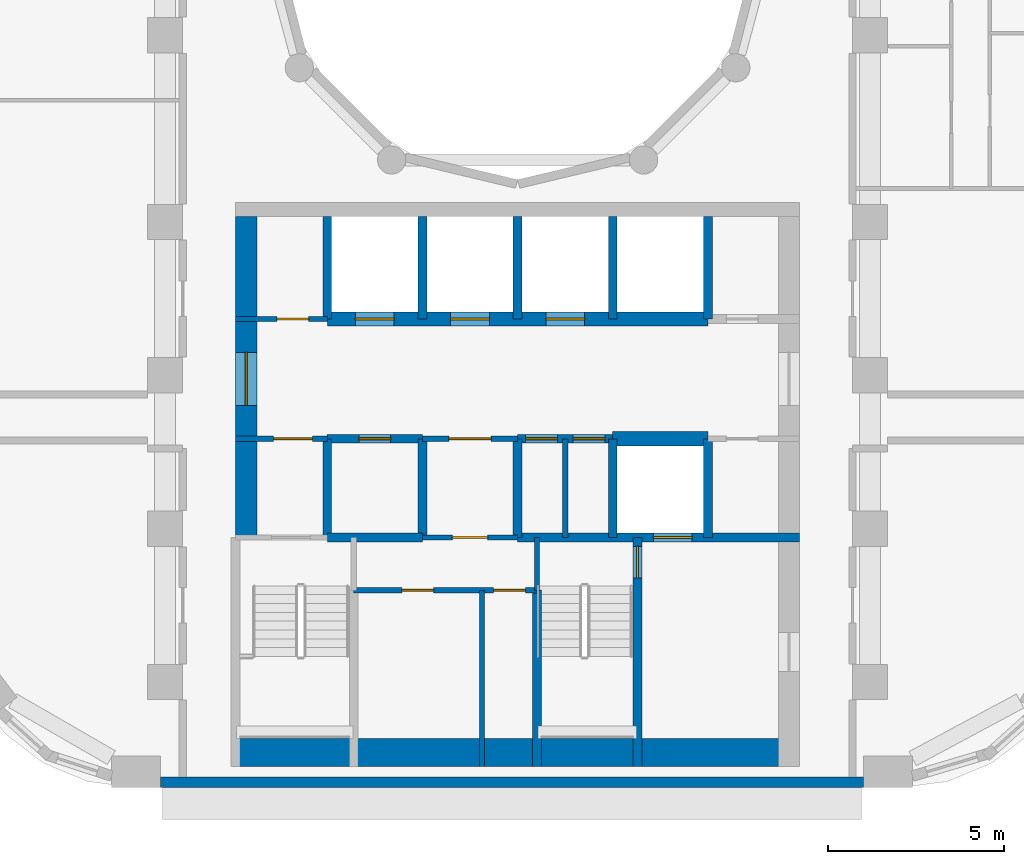
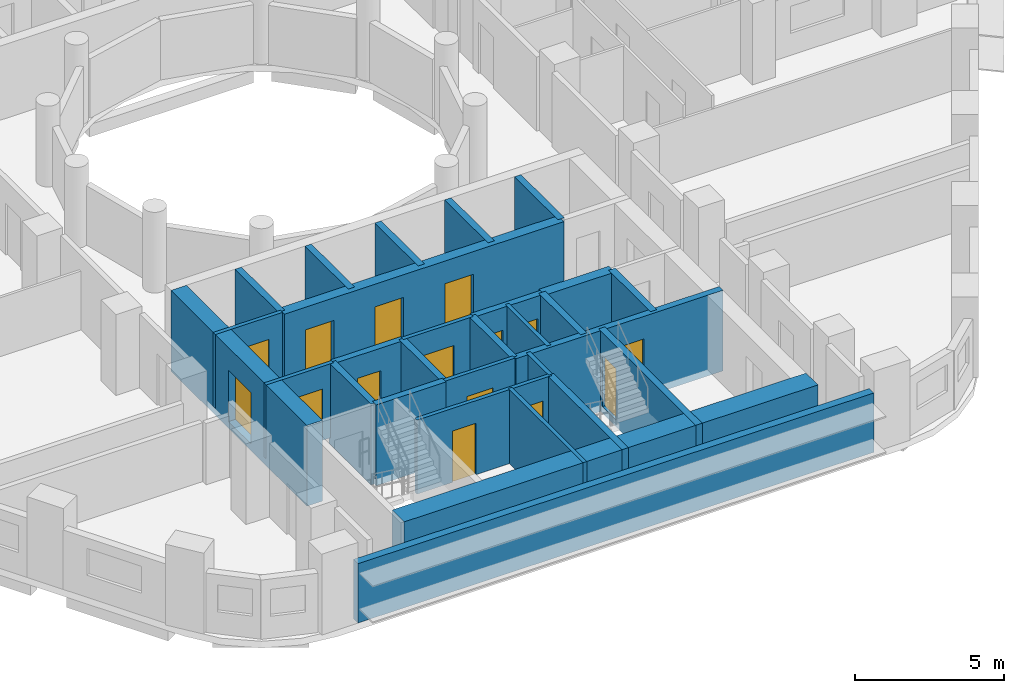
# One storey, part 3 of 13: 29 walls, 15 doors, 15 openings.
"""IFC4 building model written with IfcOpenShell, lengths in metres."""

import ifcopenshell
import ifcopenshell.guid

model = None  # the IFC model being written
_history = None  # IfcOwnerHistory: only IFC2X3 demands one
_inside = {}  # id of a spatial element -> (the spatial element, [elements in it])
_under = {}  # id of a project, library or spatial element -> (it, [spatial elements below it])
_declared = {}  # id of a project -> (the project, [libraries it declares])
_typed = {}  # id of a type object -> (the type object, [elements of that type])
_made_of = {}  # id of a material, layer set ... -> (it, [elements and type objects made of it])


def new_model(schema):
    """Start an empty IFC model of exactly this schema.

    Asked for "IFC4X3", IfcOpenShell would pick the latest addendum, in which some entities
    have other attributes; the version numbers below select the first issue.
    IFC2X3 requires an IfcOwnerHistory on every rooted entity: one is made here for all.
    """
    global model, _history
    if schema == "IFC4X3":
        model = ifcopenshell.file(schema_version=(4, 3, 0, 0))
    else:
        model = ifcopenshell.file(schema=schema)
    _inside.clear()
    _under.clear()
    _declared.clear()
    _typed.clear()
    _made_of.clear()
    _history = None
    if model.schema == "IFC2X3":
        org = make("IfcOrganization", Name="unknown")
        user = make(
            "IfcPersonAndOrganization",
            ThePerson=make("IfcPerson", FamilyName="unknown"),
            TheOrganization=org,
        )
        app = make(
            "IfcApplication",
            ApplicationDeveloper=org,
            Version="unknown",
            ApplicationFullName="unknown",
            ApplicationIdentifier="unknown",
        )
        _history = make(
            "IfcOwnerHistory",
            OwningUser=user,
            OwningApplication=app,
            ChangeAction="ADDED",
            CreationDate=0,
        )
    return model


def make(cls, **values):
    """One entity of the class cls with the attributes given. An attribute that is None is left unset."""
    return model.create_entity(
        cls, **{name: value for name, value in values.items() if value is not None}
    )


def rooted(cls, **values):
    """An entity with a GlobalId (a new one), such as an element, a storey or a relation."""
    return make(cls, GlobalId=ifcopenshell.guid.new(), OwnerHistory=_history, **values)


def si_unit(unit_type, name, prefix=None):
    """IfcSIUnit, for example si_unit("LENGTHUNIT", "METRE", prefix="MILLI")."""
    return make("IfcSIUnit", UnitType=unit_type, Prefix=prefix, Name=name)


def assignment(units):
    """IfcUnitAssignment: the units of a project."""
    return None if units is None else make("IfcUnitAssignment", Units=units)


def point(xyz):
    """IfcCartesianPoint."""
    return None if xyz is None else make("IfcCartesianPoint", Coordinates=xyz)


def direction(xyz):
    """IfcDirection."""
    return None if xyz is None else make("IfcDirection", DirectionRatios=xyz)


def frame(location, z_axis=None, x_axis=None):
    """IfcAxis2Placement3D, a coordinate frame: its origin and axes. An axis left out is left unset."""
    return make(
        "IfcAxis2Placement3D",
        Location=point(location),
        Axis=direction(z_axis),
        RefDirection=direction(x_axis),
    )


def frame_2d(location, x_axis=None):
    """IfcAxis2Placement2D, a coordinate frame in the plane: its origin and x axis."""
    return make(
        "IfcAxis2Placement2D", Location=point(location), RefDirection=direction(x_axis)
    )


def origin():
    """The frame at (0, 0, 0) with its axes left unset."""
    return frame((0.0, 0.0, 0.0))


def place(relative_to, where):
    """IfcLocalPlacement: puts the frame where relative to a parent placement (None: the world)."""
    return make(
        "IfcLocalPlacement", PlacementRelTo=relative_to, RelativePlacement=where
    )


def context(
    kind, dimensions, precision=None, world=None, true_north=None, identifier=None
):
    """IfcGeometricRepresentationContext, for example the 3D "Model" context."""
    return make(
        "IfcGeometricRepresentationContext",
        ContextIdentifier=identifier,
        ContextType=kind,
        CoordinateSpaceDimension=dimensions,
        Precision=precision,
        WorldCoordinateSystem=world,
        TrueNorth=true_north,
    )


def subcontext(parent, identifier, kind, view, scale=None):
    """IfcGeometricRepresentationSubContext, for example "Body" below "Model"."""
    return make(
        "IfcGeometricRepresentationSubContext",
        ContextIdentifier=identifier,
        ContextType=kind,
        ParentContext=parent,
        TargetScale=scale,
        TargetView=view,
    )


def project(units=None, contexts=None):
    """IfcProject with its units and contexts."""
    return rooted(
        "IfcProject",
        Name="project",
        RepresentationContexts=contexts,
        UnitsInContext=assignment(units),
    )


def spatial(cls, under=None, at=None, **own):
    """A site, building, storey or space (cls), placed at a placement, below another one or the project."""
    s = rooted(cls, ObjectPlacement=at, **own)
    if under is not None:
        _under.setdefault(under.id(), (under, []))[1].append(s)
    return s


def profile(cls, at=None, kind="AREA", **sizes):
    """A parametric profile (cls). Its sizes go by their IFC names, for example OverallWidth=200.0."""
    return make(cls, ProfileType=kind, Position=at, **sizes)


def rectangle(**sizes):
    """IfcRectangleProfileDef."""
    return profile("IfcRectangleProfileDef", **sizes)


def extrude(swept, where, along, depth):
    """IfcExtrudedAreaSolid: the profile swept, set in the frame where, extruded along a direction by depth."""
    return make(
        "IfcExtrudedAreaSolid",
        SweptArea=swept,
        Position=where,
        ExtrudedDirection=direction(along),
        Depth=depth,
    )


def shape(context_of_items, identifier, shape_type, items):
    """IfcShapeRepresentation: the items that make up one representation, for example the "Body"."""
    return make(
        "IfcShapeRepresentation",
        ContextOfItems=context_of_items,
        RepresentationIdentifier=identifier,
        RepresentationType=shape_type,
        Items=items,
    )


def material(Name=None, Category=None):
    """IfcMaterial."""
    return make("IfcMaterial", Name=Name, Category=Category)


def layer(
    of_material, thickness, ventilated=None, Name=None, Category=None, Priority=None
):
    """IfcMaterialLayer: one layer of a wall or slab, of a material (None: an air gap)."""
    return make(
        "IfcMaterialLayer",
        Material=of_material,
        LayerThickness=thickness,
        IsVentilated=ventilated,
        Name=Name,
        Category=Category,
        Priority=Priority,
    )


def layer_set(layers, Name=None):
    """IfcMaterialLayerSet."""
    return make("IfcMaterialLayerSet", MaterialLayers=layers, LayerSetName=Name)


def made_of(thing, what):
    """Note that an element or type object is made of a material, layer set ...; save() writes the relation."""
    if what is not None:
        _made_of.setdefault(what.id(), (what, []))[1].append(thing)
    return thing


def type_object(cls, material=None, **own):
    """A type object (cls), such as IfcWallType, which elements share."""
    return made_of(rooted(cls, **own), material)


def element(
    cls,
    number,
    at=None,
    inside=None,
    cuts=None,
    type_object=None,
    material=None,
    context=None,
    identifier="Body",
    shape_type=None,
    held_by="IfcProductDefinitionShape",
    body=None,
    shapes=None,
    **own,
):
    """One element of the class cls, such as IfcWall. Its Tag is "e" and its number.

    at: its placement. inside: the storey or other place that contains it. cuts: it is an
    opening in that element (IfcRelVoidsElement). A single representation is given by context,
    identifier, shape_type and body (its items); several are given by shapes. held_by: the class
    of the entity that holds the representations. save() writes the other relations.
    """
    e = rooted(cls, Tag="e%d" % number, ObjectPlacement=at, **own)
    if body is not None:
        shapes = [shape(context, identifier, shape_type, body)]
    if shapes is not None:
        e.Representation = make(held_by, Representations=shapes)
    if inside is not None:
        _inside.setdefault(inside.id(), (inside, []))[1].append(e)
    if cuts is not None:
        rooted(
            "IfcRelVoidsElement", RelatingBuildingElement=cuts, RelatedOpeningElement=e
        )
    if type_object is not None:
        _typed.setdefault(type_object.id(), (type_object, []))[1].append(e)
    return made_of(e, material)


def fill(opening, filler):
    """IfcRelFillsElement: the door or window that sits in an opening."""
    return rooted(
        "IfcRelFillsElement",
        RelatingOpeningElement=opening,
        RelatedBuildingElement=filler,
    )


def aggregate(whole, parts):
    """IfcRelAggregates: a whole, such as a stair, and the parts it consists of."""
    return rooted("IfcRelAggregates", RelatingObject=whole, RelatedObjects=parts)


def save(model, path):
    """Write the relations noted so far, then the file.

    IfcRelAggregates (storeys below a building ...), IfcRelContainedInSpatialStructure (elements
    in a storey), IfcRelDefinesByType, IfcRelAssociatesMaterial and IfcRelDeclares: one each for
    every whole, place, type object, material and project.
    """
    for whole, parts in _under.values():
        aggregate(whole, parts)
    for where, things in _inside.values():
        rooted(
            "IfcRelContainedInSpatialStructure",
            RelatedElements=things,
            RelatingStructure=where,
        )
    for kind, things in _typed.values():
        rooted("IfcRelDefinesByType", RelatedObjects=things, RelatingType=kind)
    for what, things in _made_of.values():
        rooted("IfcRelAssociatesMaterial", RelatedObjects=things, RelatingMaterial=what)
    for by, libraries in _declared.values():
        rooted("IfcRelDeclares", RelatingContext=by, RelatedDefinitions=libraries)
    model.write(path)


model = new_model("IFC4")

# Units and contexts
model_context = context("Model", 3, precision=1e-05, world=origin(), true_north=direction((0.0, 1.0)))
body_context = subcontext(model_context, "Body", "Model", "MODEL_VIEW")
ifc_project = project(units=[si_unit("LENGTHUNIT", "METRE"), si_unit("AREAUNIT", "SQUARE_METRE"), si_unit("VOLUMEUNIT", "CUBIC_METRE"), si_unit("PLANEANGLEUNIT", "RADIAN"), si_unit("MASSUNIT", "GRAM", prefix="KILO")], contexts=[model_context])

# Site, building, storey
site_placement = place(None, origin())
site = spatial("IfcSite", under=ifc_project, at=site_placement, CompositionType="ELEMENT")
building_placement = place(site_placement, origin())
building = spatial("IfcBuilding", under=site, at=building_placement, Name="Nakaniwa Court", CompositionType="ELEMENT")
storey_placement = place(building_placement, frame((0.0, 0.0, 84.300048828125)))
storey = spatial("IfcBuildingStorey", under=building, at=storey_placement, Name="L21", CompositionType="ELEMENT", Elevation=84.300048828125)

# Wall
ifc_material_1 = material(Name="Charcoal ceramic cladding")
ifc_layer_1 = layer(ifc_material_1, 0.02, Name="Ceramic cladding")
ifc_material_2 = material(Name="Ventilated air cavity")
ifc_layer_2 = layer(ifc_material_2, 0.04, ventilated=True, Name="Ventilated cavity")
ifc_material_3 = material(Name="Mineral wool insulation")
ifc_layer_3 = layer(ifc_material_3, 0.1, Name="Insulation")
ifc_material_4 = material(Name="Cement bonded sheathing board")
ifc_layer_4 = layer(ifc_material_4, 0.012, Name="Sheathing")
ifc_material_5 = material(Name="Cold-formed galvanised stud frame with mineral wool infill")
ifc_layer_5 = layer(ifc_material_5, 0.1, Name="Stud frame")
ifc_material_6 = material(Name="Fire-rated gypsum plasterboard lining")
ifc_layer_6 = layer(ifc_material_6, 0.028, Name="Lining")
ifc_layer_set_1 = layer_set([ifc_layer_1, ifc_layer_2, ifc_layer_3, ifc_layer_4, ifc_layer_5, ifc_layer_6], Name="Charcoal ceramic faced external wall system")
wall_type_1 = type_object("IfcWallType", Name="Black ceramic faced external wall 300", PredefinedType="SOLIDWALL", material=ifc_layer_set_1)
wall_1_placement = place(storey_placement, frame((69.871337890625, 56.14990234375, 0.0), z_axis=(0.0, 0.0, 1.0), x_axis=(1.0, 0.0, 0.0)))
element("IfcWall", 1, at=wall_1_placement, inside=storey, type_object=wall_type_1, Name="L21 external wall 26", PredefinedType="SOLIDWALL", context=body_context, shape_type="SweptSolid", body=[
    extrude(rectangle(XDim=19.939697265625, YDim=0.300048828125, at=frame_2d((9.9697265625, 0.0))), origin(), (0.0, 0.0, 1.0), 2.425048828125),
])

# Wall, opening, door
ifc_material_7 = material(Name="Blockwork partition", Category="masonry")
ifc_layer_7 = layer(ifc_material_7, 0.14990234375)
ifc_layer_set_2 = layer_set([ifc_layer_7], Name="Blockwork partition")
wall_type_2 = type_object("IfcWallType", Name="Blockwork partition 150", PredefinedType="PARTITIONING", material=ifc_layer_set_2)
wall_2_placement = place(storey_placement, frame((72.0, 69.300048828125, 0.0), z_axis=(0.0, 0.0, 1.0), x_axis=(1.0, 0.0, 0.0)))
wall_2 = element("IfcWall", 2, at=wall_2_placement, inside=storey, type_object=wall_type_2, Name="Partition PW-037", PredefinedType="PARTITIONING", context=body_context, shape_type="SweptSolid", body=[
    extrude(rectangle(XDim=2.60009765625, YDim=0.14990234375, at=frame_2d((1.300048828125, 0.0))), origin(), (0.0, 0.0, 1.0), 3.02490234375),
])
opening_1_placement = place(wall_2_placement, frame((1.175048828125, 0.0, 0.0)))
opening_1 = element("IfcOpeningElement", 3, at=opening_1_placement, cuts=wall_2, Name="Opening D-05-09", PredefinedType="OPENING", context=body_context, shape_type="SweptSolid", body=[
    extrude(rectangle(XDim=0.89990234375, YDim=2.10009765625, at=frame_2d((0.449951171875, 1.050048828125))), frame((0.0, 0.0849609375, 0.0), z_axis=(0.0, -1.0, 0.0), x_axis=(1.0, 0.0, 0.0)), (0.0, 0.0, 1.0), 0.169921875),
])
ifc_material_8 = material(Name="Fire rated steel door set", Category="steel")
door_type_1 = type_object("IfcDoorType", Name="Service room door 900", OperationType="NOTDEFINED", PredefinedType="DOOR", material=ifc_material_8)
door_1_placement = place(opening_1_placement, origin())
door_1 = element("IfcDoor", 4, at=door_1_placement, inside=storey, type_object=door_type_1, Name="Door D-05-09 L21-014", OperationType="SINGLE_SWING_LEFT", OverallHeight=2.10009765625, OverallWidth=0.89990234375, PredefinedType="DOOR", context=body_context, shape_type="SweptSolid", body=[
    extrude(rectangle(XDim=0.89990234375, YDim=2.10009765625, at=frame_2d((0.449951171875, 1.050048828125))), frame((0.0, 0.02490234375, 0.0), z_axis=(0.0, -1.0, 0.0), x_axis=(1.0, 0.0, 0.0)), (0.0, 0.0, 1.0), 0.050048828125),
])
fill(opening_1, door_1)

wall_3_placement = place(storey_placement, frame((74.60302734375, 65.89990234375, 0.0), z_axis=(0.0, 0.0, 1.0), x_axis=(-1.0, 0.0, 0.0)))
wall_3 = element("IfcWall", 5, at=wall_3_placement, inside=storey, type_object=wall_type_2, Name="Partition PW-050", PredefinedType="PARTITIONING", context=body_context, shape_type="SweptSolid", body=[
    extrude(rectangle(XDim=2.60302734375, YDim=0.14990234375, at=frame_2d((1.301513671875, 0.0))), origin(), (0.0, 0.0, 1.0), 3.02490234375),
])
opening_2_placement = place(wall_3_placement, frame((0.427978515625, 0.0, 0.0)))
opening_2 = element("IfcOpeningElement", 6, at=opening_2_placement, cuts=wall_3, Name="Opening D-08-02", PredefinedType="OPENING", context=body_context, shape_type="SweptSolid", body=[
    extrude(rectangle(XDim=1.10009765625, YDim=2.10009765625, at=frame_2d((0.550048828125, 1.050048828125))), frame((0.0, 0.0849609375, 0.0), z_axis=(0.0, -1.0, 0.0), x_axis=(1.0, 0.0, 0.0)), (0.0, 0.0, 1.0), 0.169921875),
])
door_type_2 = type_object("IfcDoorType", Name="Stair lobby door 1100", OperationType="NOTDEFINED", PredefinedType="DOOR", material=ifc_material_8)
door_2_placement = place(opening_2_placement, origin())
door_2 = element("IfcDoor", 7, at=door_2_placement, inside=storey, type_object=door_type_2, Name="Door D-08-02 L21-016", OperationType="SINGLE_SWING_LEFT", OverallHeight=2.10009765625, OverallWidth=1.10009765625, PredefinedType="DOOR", context=body_context, shape_type="SweptSolid", body=[
    extrude(rectangle(XDim=1.10009765625, YDim=2.10009765625, at=frame_2d((0.550048828125, 1.050048828125))), frame((0.0, 0.02490234375, 0.0), z_axis=(0.0, -1.0, 0.0), x_axis=(1.0, 0.0, 0.0)), (0.0, 0.0, 1.0), 0.050048828125),
])
fill(opening_2, door_2)

wall_4_placement = place(storey_placement, frame((80.0029296875, 65.89990234375, 0.0), z_axis=(0.0, 0.0, 1.0), x_axis=(-1.0, 0.0, 0.0)))
wall_4 = element("IfcWall", 8, at=wall_4_placement, inside=storey, type_object=wall_type_2, Name="Partition PW-051", PredefinedType="PARTITIONING", context=body_context, shape_type="SweptSolid", body=[
    extrude(rectangle(XDim=2.705810546875, YDim=0.14990234375, at=frame_2d((1.35302734375, 0.0))), origin(), (0.0, 0.0, 1.0), 3.02490234375),
])
opening_3_placement = place(wall_4_placement, frame((0.7529296875, 0.0, 0.0)))
opening_3 = element("IfcOpeningElement", 9, at=opening_3_placement, cuts=wall_4, Name="Opening D-06-02", PredefinedType="OPENING", context=body_context, shape_type="SweptSolid", body=[
    extrude(rectangle(XDim=1.199951171875, YDim=2.10009765625, at=frame_2d((0.60009765625, 1.050048828125))), frame((0.0, 0.0849609375, 0.0), z_axis=(0.0, -1.0, 0.0), x_axis=(1.0, 0.0, 0.0)), (0.0, 0.0, 1.0), 0.169921875),
])
ifc_material_9 = material(Name="Fire rated steel double door set", Category="steel")
door_type_3 = type_object("IfcDoorType", Name="Service passage double door 1200", OperationType="NOTDEFINED", PredefinedType="DOOR", material=ifc_material_9)
door_3_placement = place(opening_3_placement, origin())
door_3 = element("IfcDoor", 10, at=door_3_placement, inside=storey, type_object=door_type_3, Name="Door D-06-02 L21-018", OperationType="DOUBLE_DOOR_SINGLE_SWING", OverallHeight=2.10009765625, OverallWidth=1.199951171875, PredefinedType="DOOR", context=body_context, shape_type="SweptSolid", body=[
    extrude(rectangle(XDim=1.199951171875, YDim=2.10009765625, at=frame_2d((0.60009765625, 1.050048828125))), frame((0.0, 0.02490234375, 0.0), z_axis=(0.0, -1.0, 0.0), x_axis=(1.0, 0.0, 0.0)), (0.0, 0.0, 1.0), 0.050048828125),
])
fill(opening_3, door_3)

wall_5_placement = place(storey_placement, frame((80.0, 63.10009765625, 0.0), z_axis=(0.0, 0.0, 1.0), x_axis=(-1.0, 0.0, 0.0)))
wall_5 = element("IfcWall", 11, at=wall_5_placement, inside=storey, type_object=wall_type_2, Name="Partition PW-059", PredefinedType="PARTITIONING", context=body_context, shape_type="SweptSolid", body=[
    extrude(rectangle(XDim=2.699951171875, YDim=0.14990234375, at=frame_2d((1.35009765625, 0.0))), origin(), (0.0, 0.0, 1.0), 3.02490234375),
])
opening_4_placement = place(wall_5_placement, frame((0.85009765625, 0.0, 0.0)))
opening_4 = element("IfcOpeningElement", 12, at=opening_4_placement, cuts=wall_5, Name="Opening D-23-02", PredefinedType="OPENING", context=body_context, shape_type="SweptSolid", body=[
    extrude(rectangle(XDim=1.0, YDim=2.10009765625, at=frame_2d((0.5, 1.050048828125))), frame((0.0, 0.0849609375, 0.0), z_axis=(0.0, -1.0, 0.0), x_axis=(1.0, 0.0, 0.0)), (0.0, 0.0, 1.0), 0.169921875),
])
door_type_4 = type_object("IfcDoorType", Name="Service room door 1000", OperationType="NOTDEFINED", PredefinedType="DOOR", material=ifc_material_8)
door_4_placement = place(opening_4_placement, origin())
door_4 = element("IfcDoor", 13, at=door_4_placement, inside=storey, type_object=door_type_4, Name="Door D-23-02 L21-022", OperationType="SINGLE_SWING_LEFT", OverallHeight=2.10009765625, OverallWidth=1.0, PredefinedType="DOOR", context=body_context, shape_type="SweptSolid", body=[
    extrude(rectangle(XDim=1.0, YDim=2.10009765625, at=frame_2d((0.5, 1.050048828125))), frame((0.0, 0.02490234375, 0.0), z_axis=(0.0, -1.0, 0.0), x_axis=(1.0, 0.0, 0.0)), (0.0, 0.0, 1.0), 0.050048828125),
])
fill(opening_4, door_4)

# Wall
wall_6_placement = place(storey_placement, frame((81.35009765625, 63.10009765625, 0.0), z_axis=(0.0, 0.0, 1.0), x_axis=(0.0, 1.0, 0.0)))
element("IfcWall", 14, at=wall_6_placement, inside=storey, type_object=wall_type_2, Name="Partition PW-060", PredefinedType="PARTITIONING", context=body_context, shape_type="SweptSolid", body=[
    extrude(rectangle(XDim=2.7998046875, YDim=0.14990234375, at=frame_2d((1.39990234375, 0.0))), origin(), (0.0, 0.0, 1.0), 3.02490234375),
])

# Wall, openings, doors
wall_7_placement = place(storey_placement, frame((80.550048828125, 61.60009765625, 0.0), z_axis=(0.0, 0.0, 1.0), x_axis=(-1.0, 0.0, 0.0)))
wall_7 = element("IfcWall", 15, at=wall_7_placement, inside=storey, type_object=wall_type_2, Name="Partition PW-067", PredefinedType="PARTITIONING", context=body_context, shape_type="SweptSolid", body=[
    extrude(rectangle(XDim=5.199951171875, YDim=0.14990234375, at=frame_2d((2.60009765625, 0.0))), origin(), (0.0, 0.0, 1.0), 3.02490234375),
])
opening_5_placement = place(wall_7_placement, frame((2.929931640625, 0.0, 0.0)))
opening_5 = element("IfcOpeningElement", 16, at=opening_5_placement, cuts=wall_7, Name="Opening D-05-15", PredefinedType="OPENING", context=body_context, shape_type="SweptSolid", body=[
    extrude(rectangle(XDim=0.89990234375, YDim=2.10009765625, at=frame_2d((0.449951171875, 1.050048828125))), frame((0.0, 0.0849609375, 0.0), z_axis=(0.0, -1.0, 0.0), x_axis=(1.0, 0.0, 0.0)), (0.0, 0.0, 1.0), 0.169921875),
])
opening_6_placement = place(wall_7_placement, frame((0.330078125, 0.0, 0.0)))
opening_6 = element("IfcOpeningElement", 17, at=opening_6_placement, cuts=wall_7, Name="Opening D-05-16", PredefinedType="OPENING", context=body_context, shape_type="SweptSolid", body=[
    extrude(rectangle(XDim=0.89990234375, YDim=2.10009765625, at=frame_2d((0.449951171875, 1.050048828125))), frame((0.0, 0.0849609375, 0.0), z_axis=(0.0, -1.0, 0.0), x_axis=(1.0, 0.0, 0.0)), (0.0, 0.0, 1.0), 0.169921875),
])
door_5_placement = place(opening_5_placement, origin())
door_5 = element("IfcDoor", 18, at=door_5_placement, inside=storey, type_object=door_type_1, Name="Door D-05-15 L21-023", OperationType="SINGLE_SWING_RIGHT", OverallHeight=2.10009765625, OverallWidth=0.89990234375, PredefinedType="DOOR", context=body_context, shape_type="SweptSolid", body=[
    extrude(rectangle(XDim=0.89990234375, YDim=2.10009765625, at=frame_2d((0.449951171875, 1.050048828125))), frame((0.0, 0.02490234375, 0.0), z_axis=(0.0, -1.0, 0.0), x_axis=(1.0, 0.0, 0.0)), (0.0, 0.0, 1.0), 0.050048828125),
])
fill(opening_5, door_5)
door_6_placement = place(opening_6_placement, origin())
door_6 = element("IfcDoor", 19, at=door_6_placement, inside=storey, type_object=door_type_1, Name="Door D-05-16 L21-024", OperationType="SINGLE_SWING_LEFT", OverallHeight=2.10009765625, OverallWidth=0.89990234375, PredefinedType="DOOR", context=body_context, shape_type="SweptSolid", body=[
    extrude(rectangle(XDim=0.89990234375, YDim=2.10009765625, at=frame_2d((0.449951171875, 1.050048828125))), frame((0.0, 0.02490234375, 0.0), z_axis=(0.0, -1.0, 0.0), x_axis=(1.0, 0.0, 0.0)), (0.0, 0.0, 1.0), 0.050048828125),
])
fill(opening_6, door_6)

# Wall
wall_8_placement = place(storey_placement, frame((78.989990234375, 56.60009765625, 0.0), z_axis=(0.0, 0.0, 1.0), x_axis=(0.0, 1.0, 0.0)))
element("IfcWall", 20, at=wall_8_placement, inside=storey, type_object=wall_type_2, Name="Partition PW-068", PredefinedType="PARTITIONING", context=body_context, shape_type="SweptSolid", body=[
    extrude(rectangle(XDim=5.0, YDim=0.14990234375, at=frame_2d((2.5, 0.0))), origin(), (0.0, 0.0, 1.0), 3.02490234375),
])

# Wall, opening, door
ifc_material_10 = material(Name="Concrete C80/100", Category="concrete")
ifc_layer_8 = layer(ifc_material_10, 0.60009765625)
ifc_layer_set_3 = layer_set([ifc_layer_8], Name="Concrete C80/100")
wall_type_3 = type_object("IfcWallType", Name="Concrete core side wall 600 C80", PredefinedType="SHEAR", material=ifc_layer_set_3)
wall_9_placement = place(storey_placement, frame((72.300048828125, 63.10009765625, -0.275146484375), z_axis=(0.0, 0.0, 1.0), x_axis=(0.0, 1.0, 0.0)))
wall_9 = element("IfcWall", 21, at=wall_9_placement, inside=storey, type_object=wall_type_3, Name="Core wall SW-38", PredefinedType="SHEAR", context=body_context, shape_type="SweptSolid", body=[
    extrude(rectangle(XDim=9.099853515625, YDim=0.60009765625, at=frame_2d((4.5498046875, 0.0))), origin(), (0.0, 0.0, 1.0), 3.300048828125),
])
opening_7_placement = place(wall_9_placement, frame((3.75, 0.0, 0.27490234375)))
opening_7 = element("IfcOpeningElement", 22, at=opening_7_placement, cuts=wall_9, Name="Opening D-07-04", PredefinedType="OPENING", context=body_context, shape_type="SweptSolid", body=[
    extrude(rectangle(XDim=1.5, YDim=2.10009765625, at=frame_2d((0.75, 1.050048828125))), frame((0.0, 0.31005859375, 0.0), z_axis=(0.0, -1.0, 0.0), x_axis=(1.0, 0.0, 0.0)), (0.0, 0.0, 1.0), 0.6201171875),
])
ifc_material_11 = material(Name="Glazed fire rated steel double door set", Category="steel")
door_type_5 = type_object("IfcDoorType", Name="Lobby double door 1500", OperationType="NOTDEFINED", PredefinedType="DOOR", material=ifc_material_11)
door_7_placement = place(opening_7_placement, origin())
door_7 = element("IfcDoor", 23, at=door_7_placement, inside=storey, type_object=door_type_5, Name="Door D-07-04 L21-051", OperationType="DOUBLE_DOOR_SINGLE_SWING", OverallHeight=2.10009765625, OverallWidth=1.5, PredefinedType="DOOR", context=body_context, shape_type="SweptSolid", body=[
    extrude(rectangle(XDim=1.5, YDim=2.10009765625, at=frame_2d((0.75, 1.050048828125))), frame((0.0, 0.02490234375, 0.0), z_axis=(0.0, -1.0, 0.0), x_axis=(1.0, 0.0, 0.0)), (0.0, 0.0, 1.0), 0.050048828125),
])
fill(opening_7, door_7)

# Wall, openings, doors
ifc_layer_9 = layer(ifc_material_10, 0.39990234375)
ifc_layer_set_4 = layer_set([ifc_layer_9], Name="Concrete C80/100")
wall_type_4 = type_object("IfcWallType", Name="Concrete core spine wall 400 C80", PredefinedType="SHEAR", material=ifc_layer_set_4)
wall_10_placement = place(storey_placement, frame((74.60009765625, 69.300048828125, -0.275146484375), z_axis=(0.0, 0.0, 1.0), x_axis=(1.0, 0.0, 0.0)))
wall_10 = element("IfcWall", 24, at=wall_10_placement, inside=storey, type_object=wall_type_4, Name="Core wall SW-41", PredefinedType="SHEAR", context=body_context, shape_type="SweptSolid", body=[
    extrude(rectangle(XDim=10.7998046875, YDim=0.39990234375, at=frame_2d((5.39990234375, 0.0))), origin(), (0.0, 0.0, 1.0), 3.300048828125),
])
opening_8_placement = place(wall_10_placement, frame((0.800048828125, 0.0, 0.27490234375)))
opening_8 = element("IfcOpeningElement", 25, at=opening_8_placement, cuts=wall_10, Name="Opening LD05", PredefinedType="OPENING", context=body_context, shape_type="SweptSolid", body=[
    extrude(rectangle(XDim=1.10009765625, YDim=2.10009765625, at=frame_2d((0.550048828125, 1.050048828125))), frame((0.0, 0.2099609375, 0.0), z_axis=(0.0, -1.0, 0.0), x_axis=(1.0, 0.0, 0.0)), (0.0, 0.0, 1.0), 0.419921875),
])
opening_9_placement = place(wall_10_placement, frame((3.5, 0.0, 0.27490234375)))
opening_9 = element("IfcOpeningElement", 26, at=opening_9_placement, cuts=wall_10, Name="Opening LD06", PredefinedType="OPENING", context=body_context, shape_type="SweptSolid", body=[
    extrude(rectangle(XDim=1.10009765625, YDim=2.10009765625, at=frame_2d((0.550048828125, 1.050048828125))), frame((0.0, 0.2099609375, 0.0), z_axis=(0.0, -1.0, 0.0), x_axis=(1.0, 0.0, 0.0)), (0.0, 0.0, 1.0), 0.419921875),
])
opening_10_placement = place(wall_10_placement, frame((6.199951171875, 0.0, 0.27490234375)))
opening_10 = element("IfcOpeningElement", 27, at=opening_10_placement, cuts=wall_10, Name="Opening LD07", PredefinedType="OPENING", context=body_context, shape_type="SweptSolid", body=[
    extrude(rectangle(XDim=1.10009765625, YDim=2.10009765625, at=frame_2d((0.550048828125, 1.050048828125))), frame((0.0, 0.2099609375, 0.0), z_axis=(0.0, -1.0, 0.0), x_axis=(1.0, 0.0, 0.0)), (0.0, 0.0, 1.0), 0.419921875),
])
ifc_material_12 = material(Name="Stainless steel sliding lift landing door", Category="steel")
door_type_6 = type_object("IfcDoorType", Name="Lift landing door 1100", OperationType="NOTDEFINED", PredefinedType="DOOR", material=ifc_material_12)
door_8_placement = place(opening_8_placement, origin())
door_8 = element("IfcDoor", 28, at=door_8_placement, inside=storey, type_object=door_type_6, Name="Lift landing door LD05 L21-005", OperationType="SLIDING_TO_LEFT", OverallHeight=2.10009765625, OverallWidth=1.10009765625, PredefinedType="DOOR", context=body_context, shape_type="SweptSolid", body=[
    extrude(rectangle(XDim=1.10009765625, YDim=2.10009765625, at=frame_2d((0.550048828125, 1.050048828125))), frame((0.0, 0.02490234375, 0.0), z_axis=(0.0, -1.0, 0.0), x_axis=(1.0, 0.0, 0.0)), (0.0, 0.0, 1.0), 0.050048828125),
])
fill(opening_8, door_8)
door_9_placement = place(opening_9_placement, origin())
door_9 = element("IfcDoor", 29, at=door_9_placement, inside=storey, type_object=door_type_6, Name="Lift landing door LD06 L21-006", OperationType="SLIDING_TO_LEFT", OverallHeight=2.10009765625, OverallWidth=1.10009765625, PredefinedType="DOOR", context=body_context, shape_type="SweptSolid", body=[
    extrude(rectangle(XDim=1.10009765625, YDim=2.10009765625, at=frame_2d((0.550048828125, 1.050048828125))), frame((0.0, 0.02490234375, 0.0), z_axis=(0.0, -1.0, 0.0), x_axis=(1.0, 0.0, 0.0)), (0.0, 0.0, 1.0), 0.050048828125),
])
fill(opening_9, door_9)
door_10_placement = place(opening_10_placement, origin())
door_10 = element("IfcDoor", 30, at=door_10_placement, inside=storey, type_object=door_type_6, Name="Lift landing door LD07 L21-007", OperationType="SLIDING_TO_LEFT", OverallHeight=2.10009765625, OverallWidth=1.10009765625, PredefinedType="DOOR", context=body_context, shape_type="SweptSolid", body=[
    extrude(rectangle(XDim=1.10009765625, YDim=2.10009765625, at=frame_2d((0.550048828125, 1.050048828125))), frame((0.0, 0.02490234375, 0.0), z_axis=(0.0, -1.0, 0.0), x_axis=(1.0, 0.0, 0.0)), (0.0, 0.0, 1.0), 0.050048828125),
])
fill(opening_10, door_10)

# Walls
wall_11_placement = place(storey_placement, frame((82.697021484375, 65.89990234375, -0.275146484375), z_axis=(0.0, 0.0, 1.0), x_axis=(1.0, 0.0, 0.0)))
element("IfcWall", 31, at=wall_11_placement, inside=storey, type_object=wall_type_4, Name="Core wall SW-55", PredefinedType="SHEAR", context=body_context, shape_type="SweptSolid", body=[
    extrude(rectangle(XDim=2.7060546875, YDim=0.39990234375, at=frame_2d((1.35302734375, 0.0))), origin(), (0.0, 0.0, 1.0), 3.300048828125),
])
ifc_layer_10 = layer(ifc_material_10, 0.14990234375)
ifc_layer_set_5 = layer_set([ifc_layer_10], Name="Concrete C80/100")
wall_type_5 = type_object("IfcWallType", Name="Concrete core wall 150 C80", PredefinedType="SHEAR", material=ifc_layer_set_5)
wall_12_placement = place(storey_placement, frame((80.550048828125, 61.596923828125, -0.275146484375), z_axis=(0.0, 0.0, 1.0), x_axis=(0.0, 1.0, 0.0)))
element("IfcWall", 32, at=wall_12_placement, inside=storey, type_object=wall_type_5, Name="Core wall SW-65", PredefinedType="SHEAR", context=body_context, shape_type="SweptSolid", body=[
    extrude(rectangle(XDim=1.503173828125, YDim=0.14990234375, at=frame_2d((0.75146484375, 0.0))), origin(), (0.0, 0.0, 1.0), 3.300048828125),
])
ifc_layer_11 = layer(ifc_material_10, 0.800048828125)
ifc_layer_set_6 = layer_set([ifc_layer_11], Name="Concrete C80/100")
wall_type_6 = type_object("IfcWallType", Name="Concrete core wall 800 C80", PredefinedType="SHEAR", material=ifc_layer_set_6)
wall_13_placement = place(storey_placement, frame((72.00390625, 57.0, -0.275146484375), z_axis=(0.0, 0.0, 1.0), x_axis=(1.0, 0.0, 0.0)))
element("IfcWall", 33, at=wall_13_placement, inside=storey, type_object=wall_type_6, Name="Core wall SW-125", PredefinedType="SHEAR", context=body_context, shape_type="SweptSolid", body=[
    extrude(rectangle(XDim=15.9921875, YDim=0.800048828125, at=frame_2d((7.99609375, 0.0))), origin(), (0.0, 0.0, 1.0), 3.300048828125),
])
ifc_layer_12 = layer(ifc_material_10, 0.25)
ifc_layer_set_7 = layer_set([ifc_layer_12], Name="Concrete C80/100")
wall_type_7 = type_object("IfcWallType", Name="Concrete shaft wall 250 C80", PredefinedType="SHEAR", material=ifc_layer_set_7)
wall_14_placement = place(storey_placement, frame((74.60009765625, 63.10009765625, -0.275146484375), z_axis=(0.0, 0.0, 1.0), x_axis=(0.0, 1.0, 0.0)))
element("IfcWall", 34, at=wall_14_placement, inside=storey, type_object=wall_type_7, Name="Core wall SW-35", PredefinedType="SHEAR", context=body_context, shape_type="SweptSolid", body=[
    extrude(rectangle(XDim=2.7998046875, YDim=0.25, at=frame_2d((1.39990234375, 0.0))), origin(), (0.0, 0.0, 1.0), 3.300048828125),
])
wall_15_placement = place(storey_placement, frame((74.60009765625, 69.300048828125, -0.275146484375), z_axis=(0.0, 0.0, 1.0), x_axis=(0.0, 1.0, 0.0)))
element("IfcWall", 35, at=wall_15_placement, inside=storey, type_object=wall_type_7, Name="Core wall SW-36", PredefinedType="SHEAR", context=body_context, shape_type="SweptSolid", body=[
    extrude(rectangle(XDim=2.89990234375, YDim=0.25, at=frame_2d((1.449951171875, 0.0))), origin(), (0.0, 0.0, 1.0), 3.300048828125),
])
wall_16_placement = place(storey_placement, frame((77.300048828125, 63.10009765625, -0.275146484375), z_axis=(0.0, 0.0, 1.0), x_axis=(0.0, 1.0, 0.0)))
element("IfcWall", 36, at=wall_16_placement, inside=storey, type_object=wall_type_7, Name="Core wall SW-39", PredefinedType="SHEAR", context=body_context, shape_type="SweptSolid", body=[
    extrude(rectangle(XDim=2.7998046875, YDim=0.25, at=frame_2d((1.39990234375, 0.0))), origin(), (0.0, 0.0, 1.0), 3.300048828125),
])
wall_17_placement = place(storey_placement, frame((77.300048828125, 69.300048828125, -0.275146484375), z_axis=(0.0, 0.0, 1.0), x_axis=(0.0, 1.0, 0.0)))
element("IfcWall", 37, at=wall_17_placement, inside=storey, type_object=wall_type_7, Name="Core wall SW-40", PredefinedType="SHEAR", context=body_context, shape_type="SweptSolid", body=[
    extrude(rectangle(XDim=2.89990234375, YDim=0.25, at=frame_2d((1.449951171875, 0.0))), origin(), (0.0, 0.0, 1.0), 3.300048828125),
])
wall_18_placement = place(storey_placement, frame((80.0, 63.10009765625, -0.275146484375), z_axis=(0.0, 0.0, 1.0), x_axis=(0.0, 1.0, 0.0)))
element("IfcWall", 38, at=wall_18_placement, inside=storey, type_object=wall_type_7, Name="Core wall SW-42", PredefinedType="SHEAR", context=body_context, shape_type="SweptSolid", body=[
    extrude(rectangle(XDim=2.7998046875, YDim=0.25, at=frame_2d((1.39990234375, 0.0))), origin(), (0.0, 0.0, 1.0), 3.300048828125),
])
wall_19_placement = place(storey_placement, frame((80.0, 69.300048828125, -0.275146484375), z_axis=(0.0, 0.0, 1.0), x_axis=(0.0, 1.0, 0.0)))
element("IfcWall", 39, at=wall_19_placement, inside=storey, type_object=wall_type_7, Name="Core wall SW-43", PredefinedType="SHEAR", context=body_context, shape_type="SweptSolid", body=[
    extrude(rectangle(XDim=2.89990234375, YDim=0.25, at=frame_2d((1.449951171875, 0.0))), origin(), (0.0, 0.0, 1.0), 3.300048828125),
])
wall_20_placement = place(storey_placement, frame((82.699951171875, 63.10009765625, -0.275146484375), z_axis=(0.0, 0.0, 1.0), x_axis=(0.0, 1.0, 0.0)))
element("IfcWall", 40, at=wall_20_placement, inside=storey, type_object=wall_type_7, Name="Core wall SW-44", PredefinedType="SHEAR", context=body_context, shape_type="SweptSolid", body=[
    extrude(rectangle(XDim=2.7998046875, YDim=0.25, at=frame_2d((1.39990234375, 0.0))), origin(), (0.0, 0.0, 1.0), 3.300048828125),
])
wall_21_placement = place(storey_placement, frame((82.699951171875, 69.300048828125, -0.275146484375), z_axis=(0.0, 0.0, 1.0), x_axis=(0.0, 1.0, 0.0)))
element("IfcWall", 41, at=wall_21_placement, inside=storey, type_object=wall_type_7, Name="Core wall SW-45", PredefinedType="SHEAR", context=body_context, shape_type="SweptSolid", body=[
    extrude(rectangle(XDim=2.89990234375, YDim=0.25, at=frame_2d((1.449951171875, 0.0))), origin(), (0.0, 0.0, 1.0), 3.300048828125),
])
wall_22_placement = place(storey_placement, frame((85.39990234375, 63.10009765625, -0.275146484375), z_axis=(0.0, 0.0, 1.0), x_axis=(0.0, 1.0, 0.0)))
element("IfcWall", 42, at=wall_22_placement, inside=storey, type_object=wall_type_7, Name="Core wall SW-46", PredefinedType="SHEAR", context=body_context, shape_type="SweptSolid", body=[
    extrude(rectangle(XDim=2.7998046875, YDim=0.25, at=frame_2d((1.39990234375, 0.0))), origin(), (0.0, 0.0, 1.0), 3.300048828125),
])
wall_23_placement = place(storey_placement, frame((85.39990234375, 69.300048828125, -0.275146484375), z_axis=(0.0, 0.0, 1.0), x_axis=(0.0, 1.0, 0.0)))
element("IfcWall", 43, at=wall_23_placement, inside=storey, type_object=wall_type_7, Name="Core wall SW-47", PredefinedType="SHEAR", context=body_context, shape_type="SweptSolid", body=[
    extrude(rectangle(XDim=2.89990234375, YDim=0.25, at=frame_2d((1.449951171875, 0.0))), origin(), (0.0, 0.0, 1.0), 3.300048828125),
])

# Wall, opening, door
wall_24_placement = place(storey_placement, frame((77.302978515625, 65.89990234375, -0.275146484375), z_axis=(0.0, 0.0, 1.0), x_axis=(-1.0, 0.0, 0.0)))
wall_24 = element("IfcWall", 44, at=wall_24_placement, inside=storey, type_object=wall_type_7, Name="Core wall SW-53", PredefinedType="SHEAR", context=body_context, shape_type="SweptSolid", body=[
    extrude(rectangle(XDim=2.7060546875, YDim=0.25, at=frame_2d((1.35302734375, 0.0))), origin(), (0.0, 0.0, 1.0), 3.300048828125),
])
opening_11_placement = place(wall_24_placement, frame((0.903076171875, 0.0, 0.27490234375)))
opening_11 = element("IfcOpeningElement", 45, at=opening_11_placement, cuts=wall_24, Name="Opening D-05-11", PredefinedType="OPENING", context=body_context, shape_type="SweptSolid", body=[
    extrude(rectangle(XDim=0.89990234375, YDim=2.10009765625, at=frame_2d((0.449951171875, 1.050048828125))), frame((0.0, 0.135009765625, 0.0), z_axis=(0.0, -1.0, 0.0), x_axis=(1.0, 0.0, 0.0)), (0.0, 0.0, 1.0), 0.27001953125),
])
door_11_placement = place(opening_11_placement, origin())
door_11 = element("IfcDoor", 46, at=door_11_placement, inside=storey, type_object=door_type_1, Name="Door D-05-11 L21-017", OperationType="SINGLE_SWING_RIGHT", OverallHeight=2.10009765625, OverallWidth=0.89990234375, PredefinedType="DOOR", context=body_context, shape_type="SweptSolid", body=[
    extrude(rectangle(XDim=0.89990234375, YDim=2.10009765625, at=frame_2d((0.449951171875, 1.050048828125))), frame((0.0, 0.02490234375, 0.0), z_axis=(0.0, -1.0, 0.0), x_axis=(1.0, 0.0, 0.0)), (0.0, 0.0, 1.0), 0.050048828125),
])
fill(opening_11, door_11)

# Wall, openings, doors
wall_25_placement = place(storey_placement, frame((82.702880859375, 65.89990234375, -0.275146484375), z_axis=(0.0, 0.0, 1.0), x_axis=(-1.0, 0.0, 0.0)))
wall_25 = element("IfcWall", 47, at=wall_25_placement, inside=storey, type_object=wall_type_7, Name="Core wall SW-54", PredefinedType="SHEAR", context=body_context, shape_type="SweptSolid", body=[
    extrude(rectangle(XDim=2.705810546875, YDim=0.25, at=frame_2d((1.35302734375, 0.0))), origin(), (0.0, 0.0, 1.0), 3.300048828125),
])
opening_12_placement = place(wall_25_placement, frame((1.577880859375, 0.0, 0.27490234375)))
opening_12 = element("IfcOpeningElement", 48, at=opening_12_placement, cuts=wall_25, Name="Opening D-05-12", PredefinedType="OPENING", context=body_context, shape_type="SweptSolid", body=[
    extrude(rectangle(XDim=0.89990234375, YDim=2.10009765625, at=frame_2d((0.449951171875, 1.050048828125))), frame((0.0, 0.135009765625, 0.0), z_axis=(0.0, -1.0, 0.0), x_axis=(1.0, 0.0, 0.0)), (0.0, 0.0, 1.0), 0.27001953125),
])
opening_13_placement = place(wall_25_placement, frame((0.22802734375, 0.0, 0.27490234375)))
opening_13 = element("IfcOpeningElement", 49, at=opening_13_placement, cuts=wall_25, Name="Opening D-05-13", PredefinedType="OPENING", context=body_context, shape_type="SweptSolid", body=[
    extrude(rectangle(XDim=0.89990234375, YDim=2.10009765625, at=frame_2d((0.449951171875, 1.050048828125))), frame((0.0, 0.135009765625, 0.0), z_axis=(0.0, -1.0, 0.0), x_axis=(1.0, 0.0, 0.0)), (0.0, 0.0, 1.0), 0.27001953125),
])
door_12_placement = place(opening_12_placement, origin())
door_12 = element("IfcDoor", 50, at=door_12_placement, inside=storey, type_object=door_type_1, Name="Door D-05-12 L21-019", OperationType="SINGLE_SWING_RIGHT", OverallHeight=2.10009765625, OverallWidth=0.89990234375, PredefinedType="DOOR", context=body_context, shape_type="SweptSolid", body=[
    extrude(rectangle(XDim=0.89990234375, YDim=2.10009765625, at=frame_2d((0.449951171875, 1.050048828125))), frame((0.0, 0.02490234375, 0.0), z_axis=(0.0, -1.0, 0.0), x_axis=(1.0, 0.0, 0.0)), (0.0, 0.0, 1.0), 0.050048828125),
])
fill(opening_12, door_12)
door_13_placement = place(opening_13_placement, origin())
door_13 = element("IfcDoor", 51, at=door_13_placement, inside=storey, type_object=door_type_1, Name="Door D-05-13 L21-020", OperationType="SINGLE_SWING_LEFT", OverallHeight=2.10009765625, OverallWidth=0.89990234375, PredefinedType="DOOR", context=body_context, shape_type="SweptSolid", body=[
    extrude(rectangle(XDim=0.89990234375, YDim=2.10009765625, at=frame_2d((0.449951171875, 1.050048828125))), frame((0.0, 0.02490234375, 0.0), z_axis=(0.0, -1.0, 0.0), x_axis=(1.0, 0.0, 0.0)), (0.0, 0.0, 1.0), 0.050048828125),
])
fill(opening_13, door_13)

# Wall
wall_26_placement = place(storey_placement, frame((74.60009765625, 63.10009765625, -0.275146484375), z_axis=(0.0, 0.0, 1.0), x_axis=(1.0, 0.0, 0.0)))
element("IfcWall", 52, at=wall_26_placement, inside=storey, type_object=wall_type_7, Name="Core wall SW-57", PredefinedType="SHEAR", context=body_context, shape_type="SweptSolid", body=[
    extrude(rectangle(XDim=2.699951171875, YDim=0.25, at=frame_2d((1.35009765625, 0.0))), origin(), (0.0, 0.0, 1.0), 3.300048828125),
])

# Wall, opening, door
wall_27_placement = place(storey_placement, frame((80.0, 63.10009765625, -0.275146484375), z_axis=(0.0, 0.0, 1.0), x_axis=(1.0, 0.0, 0.0)))
wall_27 = element("IfcWall", 53, at=wall_27_placement, inside=storey, type_object=wall_type_7, Name="Core wall SW-58", PredefinedType="SHEAR", context=body_context, shape_type="SweptSolid", body=[
    extrude(rectangle(XDim=8.0, YDim=0.25, at=frame_2d((4.0, 0.0))), origin(), (0.0, 0.0, 1.0), 3.300048828125),
])
opening_14_placement = place(wall_27_placement, frame((3.84912109375, 0.0, 0.27490234375)))
opening_14 = element("IfcOpeningElement", 54, at=opening_14_placement, cuts=wall_27, Name="Opening LD08", PredefinedType="OPENING", context=body_context, shape_type="SweptSolid", body=[
    extrude(rectangle(XDim=1.10009765625, YDim=2.10009765625, at=frame_2d((0.550048828125, 1.050048828125))), frame((0.0, 0.135009765625, 0.0), z_axis=(0.0, -1.0, 0.0), x_axis=(1.0, 0.0, 0.0)), (0.0, 0.0, 1.0), 0.27001953125),
])
door_14_placement = place(opening_14_placement, origin())
door_14 = element("IfcDoor", 55, at=door_14_placement, inside=storey, type_object=door_type_6, Name="Lift landing door LD08 L21-008", OperationType="SLIDING_TO_LEFT", OverallHeight=2.10009765625, OverallWidth=1.10009765625, PredefinedType="DOOR", context=body_context, shape_type="SweptSolid", body=[
    extrude(rectangle(XDim=1.10009765625, YDim=2.10009765625, at=frame_2d((0.550048828125, 1.050048828125))), frame((0.0, 0.02490234375, 0.0), z_axis=(0.0, -1.0, 0.0), x_axis=(1.0, 0.0, 0.0)), (0.0, 0.0, 1.0), 0.050048828125),
])
fill(opening_14, door_14)

wall_28_placement = place(storey_placement, frame((83.39990234375, 63.10009765625, -0.275146484375), z_axis=(0.0, 0.0, 1.0), x_axis=(0.0, -1.0, 0.0)))
wall_28 = element("IfcWall", 56, at=wall_28_placement, inside=storey, type_object=wall_type_7, Name="Core wall SW-64", PredefinedType="SHEAR", context=body_context, shape_type="SweptSolid", body=[
    extrude(rectangle(XDim=6.5, YDim=0.25, at=frame_2d((3.25, 0.0))), origin(), (0.0, 0.0, 1.0), 3.300048828125),
])
opening_15_placement = place(wall_28_placement, frame((0.25, 0.0, 0.27490234375)))
opening_15 = element("IfcOpeningElement", 57, at=opening_15_placement, cuts=wall_28, Name="Opening D-11-02", PredefinedType="OPENING", context=body_context, shape_type="SweptSolid", body=[
    extrude(rectangle(XDim=0.89990234375, YDim=2.10009765625, at=frame_2d((0.449951171875, 1.050048828125))), frame((0.0, 0.135009765625, 0.0), z_axis=(0.0, -1.0, 0.0), x_axis=(1.0, 0.0, 0.0)), (0.0, 0.0, 1.0), 0.27001953125),
])
door_type_7 = type_object("IfcDoorType", Name="Stair door 900", OperationType="NOTDEFINED", PredefinedType="DOOR", material=ifc_material_8)
door_15_placement = place(opening_15_placement, origin())
door_15 = element("IfcDoor", 58, at=door_15_placement, inside=storey, type_object=door_type_7, Name="Door D-11-02 L21-026", OperationType="SINGLE_SWING_RIGHT", OverallHeight=2.10009765625, OverallWidth=0.89990234375, PredefinedType="DOOR", context=body_context, shape_type="SweptSolid", body=[
    extrude(rectangle(XDim=0.89990234375, YDim=2.10009765625, at=frame_2d((0.449951171875, 1.050048828125))), frame((0.0, 0.02490234375, 0.0), z_axis=(0.0, -1.0, 0.0), x_axis=(1.0, 0.0, 0.0)), (0.0, 0.0, 1.0), 0.050048828125),
])
fill(opening_15, door_15)

# Wall
wall_29_placement = place(storey_placement, frame((80.550048828125, 56.60009765625, -0.275146484375), z_axis=(0.0, 0.0, 1.0), x_axis=(0.0, 1.0, 0.0)))
element("IfcWall", 59, at=wall_29_placement, inside=storey, type_object=wall_type_7, Name="Core wall SW-66", PredefinedType="SHEAR", context=body_context, shape_type="SweptSolid", body=[
    extrude(rectangle(XDim=5.0029296875, YDim=0.25, at=frame_2d((2.50146484375, 0.0))), origin(), (0.0, 0.0, 1.0), 3.300048828125),
])

save(model, "model.ifc")
